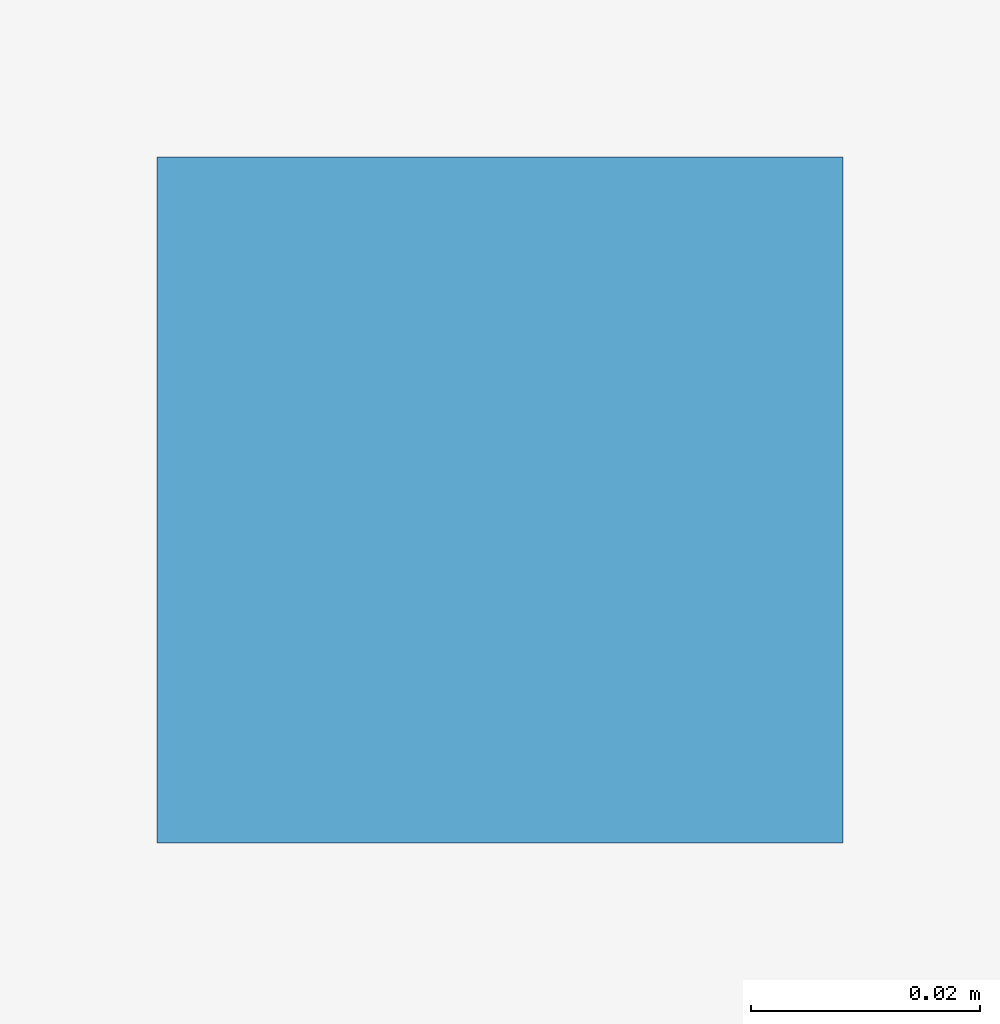
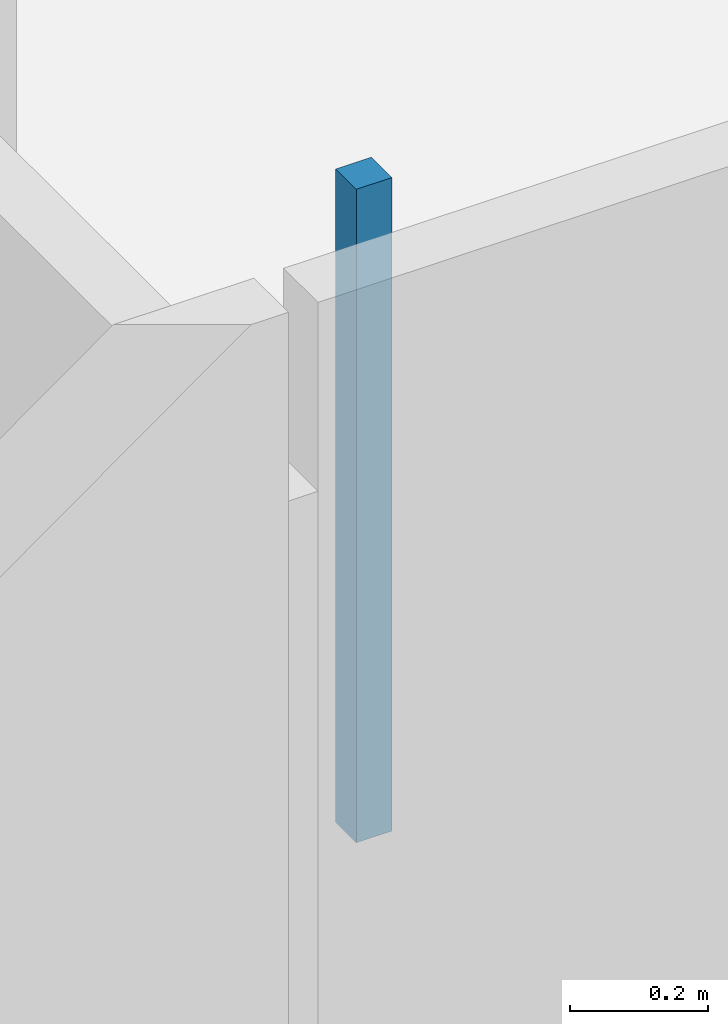
# One storey, part 75 of 110: 1 discrete accessory.
"""IFC4 building model written with IfcOpenShell, lengths in metres."""

from ifc_helpers import new_model, si_unit, direction, frame, origin, place, context, subcontext, project, spatial, polyline, outline, extrude, material, type_object, element, save


model = new_model("IFC4")

# Units and contexts
model_context = context("Model", 3, precision=1e-05, world=origin(), true_north=direction((0.0, 1.0)))
body_context = subcontext(model_context, "Body", "Model", "MODEL_VIEW")
ifc_project = project(units=[si_unit("LENGTHUNIT", "METRE"), si_unit("AREAUNIT", "SQUARE_METRE"), si_unit("VOLUMEUNIT", "CUBIC_METRE"), si_unit("PLANEANGLEUNIT", "RADIAN"), si_unit("MASSUNIT", "GRAM", prefix="KILO")], contexts=[model_context])

# Site, building, storey
site_placement = place(None, origin())
site = spatial("IfcSite", under=ifc_project, at=site_placement, CompositionType="ELEMENT")
building_placement = place(site_placement, origin())
building = spatial("IfcBuilding", under=site, at=building_placement, Name="Dunescarp Central Library", CompositionType="ELEMENT")
storey_placement = place(building_placement, frame((0.0, 0.0, 9.60009765625)))
storey = spatial("IfcBuildingStorey", under=building, at=storey_placement, Name="L02", CompositionType="ELEMENT", Elevation=9.60009765625)

# Discrete accessory
ifc_material = material(Name="Stainless steel Grade 316L", Category="steel")
discrete_accessory_type = type_object("IfcDiscreteAccessoryType", Name="ARC-ACC-BRK", PredefinedType="BRACKET", material=ifc_material)
discrete_accessory_placement = place(storey_placement, frame((0.0, 0.0, 3.059814453125)))
element("IfcDiscreteAccessory", 1, at=discrete_accessory_placement, inside=storey, type_object=discrete_accessory_type, Name="L02 ceiling hanger CLG-L02-066-H1", PredefinedType="BRACKET", context=body_context, shape_type="SweptSolid", body=[
    extrude(outline(polyline([(57.820068359375, 24.570068359375), (57.8798828125, 24.570068359375), (57.8798828125, 24.6298828125), (57.820068359375, 24.6298828125), (57.820068359375, 24.570068359375)])), origin(), (0.0, 0.0, 1.0), 1.16015625),
])

save(model, "model.ifc")
